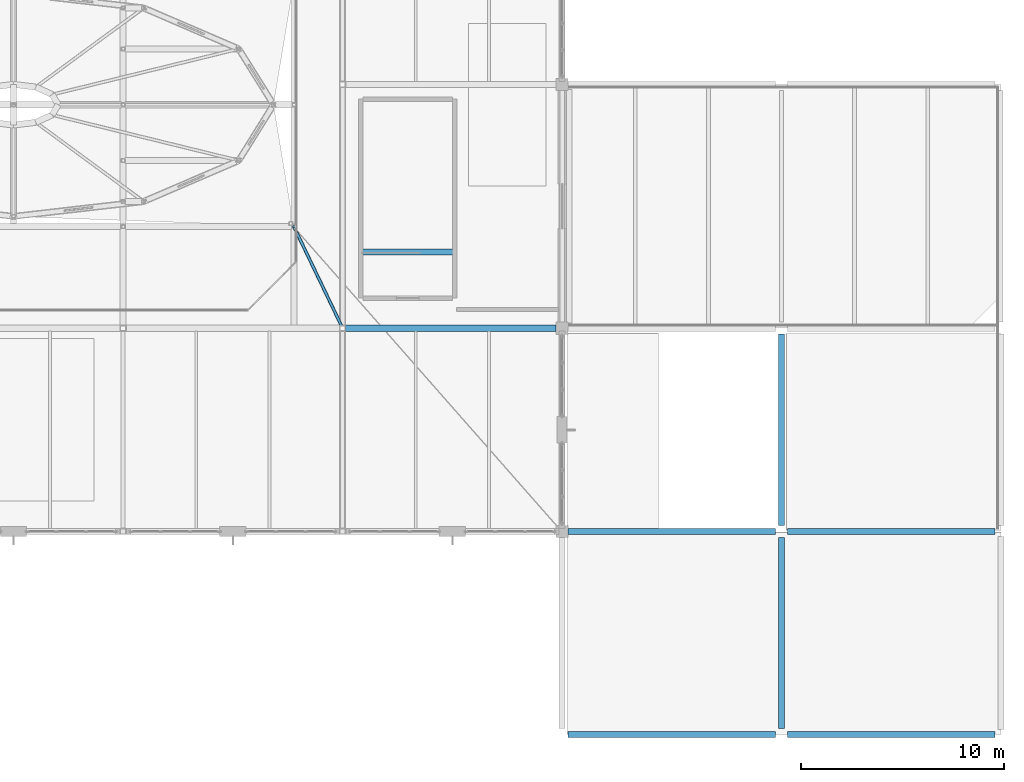
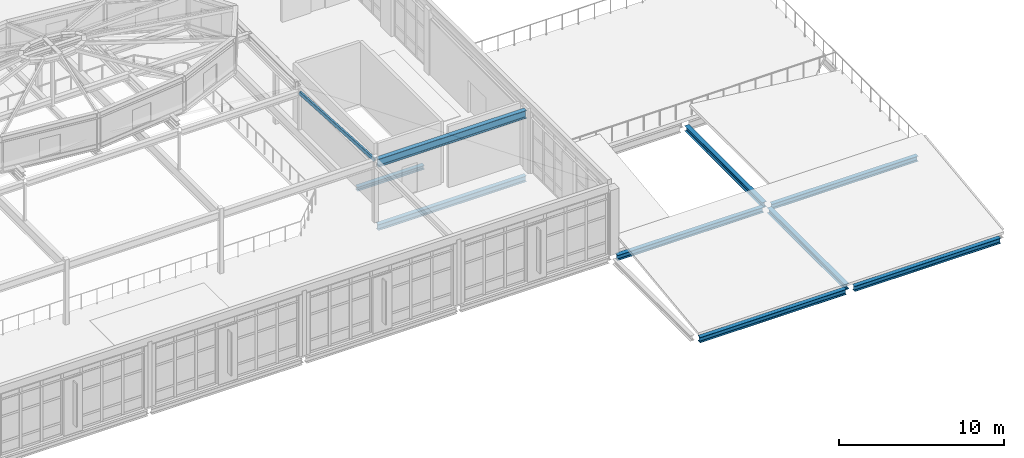
# One storey, part 33 of 86: 9 beams, 1 member.
"""IFC4 building model written with IfcOpenShell, lengths in metres."""

import ifcopenshell
import ifcopenshell.guid

model = None  # the IFC model being written
_history = None  # IfcOwnerHistory: only IFC2X3 demands one
_inside = {}  # id of a spatial element -> (the spatial element, [elements in it])
_under = {}  # id of a project, library or spatial element -> (it, [spatial elements below it])
_declared = {}  # id of a project -> (the project, [libraries it declares])
_typed = {}  # id of a type object -> (the type object, [elements of that type])
_made_of = {}  # id of a material, layer set ... -> (it, [elements and type objects made of it])


def new_model(schema):
    """Start an empty IFC model of exactly this schema.

    Asked for "IFC4X3", IfcOpenShell would pick the latest addendum, in which some entities
    have other attributes; the version numbers below select the first issue.
    IFC2X3 requires an IfcOwnerHistory on every rooted entity: one is made here for all.
    """
    global model, _history
    if schema == "IFC4X3":
        model = ifcopenshell.file(schema_version=(4, 3, 0, 0))
    else:
        model = ifcopenshell.file(schema=schema)
    _inside.clear()
    _under.clear()
    _declared.clear()
    _typed.clear()
    _made_of.clear()
    _history = None
    if model.schema == "IFC2X3":
        org = make("IfcOrganization", Name="unknown")
        user = make(
            "IfcPersonAndOrganization",
            ThePerson=make("IfcPerson", FamilyName="unknown"),
            TheOrganization=org,
        )
        app = make(
            "IfcApplication",
            ApplicationDeveloper=org,
            Version="unknown",
            ApplicationFullName="unknown",
            ApplicationIdentifier="unknown",
        )
        _history = make(
            "IfcOwnerHistory",
            OwningUser=user,
            OwningApplication=app,
            ChangeAction="ADDED",
            CreationDate=0,
        )
    return model


def make(cls, **values):
    """One entity of the class cls with the attributes given. An attribute that is None is left unset."""
    return model.create_entity(
        cls, **{name: value for name, value in values.items() if value is not None}
    )


def rooted(cls, **values):
    """An entity with a GlobalId (a new one), such as an element, a storey or a relation."""
    return make(cls, GlobalId=ifcopenshell.guid.new(), OwnerHistory=_history, **values)


def si_unit(unit_type, name, prefix=None):
    """IfcSIUnit, for example si_unit("LENGTHUNIT", "METRE", prefix="MILLI")."""
    return make("IfcSIUnit", UnitType=unit_type, Prefix=prefix, Name=name)


def assignment(units):
    """IfcUnitAssignment: the units of a project."""
    return None if units is None else make("IfcUnitAssignment", Units=units)


def point(xyz):
    """IfcCartesianPoint."""
    return None if xyz is None else make("IfcCartesianPoint", Coordinates=xyz)


def direction(xyz):
    """IfcDirection."""
    return None if xyz is None else make("IfcDirection", DirectionRatios=xyz)


def frame(location, z_axis=None, x_axis=None):
    """IfcAxis2Placement3D, a coordinate frame: its origin and axes. An axis left out is left unset."""
    return make(
        "IfcAxis2Placement3D",
        Location=point(location),
        Axis=direction(z_axis),
        RefDirection=direction(x_axis),
    )


def frame_2d(location, x_axis=None):
    """IfcAxis2Placement2D, a coordinate frame in the plane: its origin and x axis."""
    return make(
        "IfcAxis2Placement2D", Location=point(location), RefDirection=direction(x_axis)
    )


def origin():
    """The frame at (0, 0, 0) with its axes left unset."""
    return frame((0.0, 0.0, 0.0))


def origin_2d():
    """The frame at (0, 0) in the plane with its x axis left unset."""
    return frame_2d((0.0, 0.0))


def place(relative_to, where):
    """IfcLocalPlacement: puts the frame where relative to a parent placement (None: the world)."""
    return make(
        "IfcLocalPlacement", PlacementRelTo=relative_to, RelativePlacement=where
    )


def context(
    kind, dimensions, precision=None, world=None, true_north=None, identifier=None
):
    """IfcGeometricRepresentationContext, for example the 3D "Model" context."""
    return make(
        "IfcGeometricRepresentationContext",
        ContextIdentifier=identifier,
        ContextType=kind,
        CoordinateSpaceDimension=dimensions,
        Precision=precision,
        WorldCoordinateSystem=world,
        TrueNorth=true_north,
    )


def subcontext(parent, identifier, kind, view, scale=None):
    """IfcGeometricRepresentationSubContext, for example "Body" below "Model"."""
    return make(
        "IfcGeometricRepresentationSubContext",
        ContextIdentifier=identifier,
        ContextType=kind,
        ParentContext=parent,
        TargetScale=scale,
        TargetView=view,
    )


def project(units=None, contexts=None):
    """IfcProject with its units and contexts."""
    return rooted(
        "IfcProject",
        Name="project",
        RepresentationContexts=contexts,
        UnitsInContext=assignment(units),
    )


def spatial(cls, under=None, at=None, **own):
    """A site, building, storey or space (cls), placed at a placement, below another one or the project."""
    s = rooted(cls, ObjectPlacement=at, **own)
    if under is not None:
        _under.setdefault(under.id(), (under, []))[1].append(s)
    return s


def profile(cls, at=None, kind="AREA", **sizes):
    """A parametric profile (cls). Its sizes go by their IFC names, for example OverallWidth=200.0."""
    return make(cls, ProfileType=kind, Position=at, **sizes)


def hollow_rectangle(**sizes):
    """IfcRectangleHollowProfileDef."""
    return profile("IfcRectangleHollowProfileDef", **sizes)


def i_section(**sizes):
    """IfcIShapeProfileDef."""
    return profile("IfcIShapeProfileDef", **sizes)


def extrude(swept, where, along, depth):
    """IfcExtrudedAreaSolid: the profile swept, set in the frame where, extruded along a direction by depth."""
    return make(
        "IfcExtrudedAreaSolid",
        SweptArea=swept,
        Position=where,
        ExtrudedDirection=direction(along),
        Depth=depth,
    )


def shape(context_of_items, identifier, shape_type, items):
    """IfcShapeRepresentation: the items that make up one representation, for example the "Body"."""
    return make(
        "IfcShapeRepresentation",
        ContextOfItems=context_of_items,
        RepresentationIdentifier=identifier,
        RepresentationType=shape_type,
        Items=items,
    )


def material(Name=None, Category=None):
    """IfcMaterial."""
    return make("IfcMaterial", Name=Name, Category=Category)


def material_profile(
    of_material, cross_section, Name=None, Category=None, Priority=None
):
    """IfcMaterialProfile: a cross section and its material."""
    return make(
        "IfcMaterialProfile",
        Name=Name,
        Material=of_material,
        Profile=cross_section,
        Priority=Priority,
        Category=Category,
    )


def profile_set(profiles, Name=None, composite=None):
    """IfcMaterialProfileSet."""
    return make(
        "IfcMaterialProfileSet",
        Name=Name,
        MaterialProfiles=profiles,
        CompositeProfile=composite,
    )


def made_of(thing, what):
    """Note that an element or type object is made of a material, layer set ...; save() writes the relation."""
    if what is not None:
        _made_of.setdefault(what.id(), (what, []))[1].append(thing)
    return thing


def type_object(cls, material=None, **own):
    """A type object (cls), such as IfcWallType, which elements share."""
    return made_of(rooted(cls, **own), material)


def element(
    cls,
    number,
    at=None,
    inside=None,
    cuts=None,
    type_object=None,
    material=None,
    context=None,
    identifier="Body",
    shape_type=None,
    held_by="IfcProductDefinitionShape",
    body=None,
    shapes=None,
    **own,
):
    """One element of the class cls, such as IfcWall. Its Tag is "e" and its number.

    at: its placement. inside: the storey or other place that contains it. cuts: it is an
    opening in that element (IfcRelVoidsElement). A single representation is given by context,
    identifier, shape_type and body (its items); several are given by shapes. held_by: the class
    of the entity that holds the representations. save() writes the other relations.
    """
    e = rooted(cls, Tag="e%d" % number, ObjectPlacement=at, **own)
    if body is not None:
        shapes = [shape(context, identifier, shape_type, body)]
    if shapes is not None:
        e.Representation = make(held_by, Representations=shapes)
    if inside is not None:
        _inside.setdefault(inside.id(), (inside, []))[1].append(e)
    if cuts is not None:
        rooted(
            "IfcRelVoidsElement", RelatingBuildingElement=cuts, RelatedOpeningElement=e
        )
    if type_object is not None:
        _typed.setdefault(type_object.id(), (type_object, []))[1].append(e)
    return made_of(e, material)


def aggregate(whole, parts):
    """IfcRelAggregates: a whole, such as a stair, and the parts it consists of."""
    return rooted("IfcRelAggregates", RelatingObject=whole, RelatedObjects=parts)


def save(model, path):
    """Write the relations noted so far, then the file.

    IfcRelAggregates (storeys below a building ...), IfcRelContainedInSpatialStructure (elements
    in a storey), IfcRelDefinesByType, IfcRelAssociatesMaterial and IfcRelDeclares: one each for
    every whole, place, type object, material and project.
    """
    for whole, parts in _under.values():
        aggregate(whole, parts)
    for where, things in _inside.values():
        rooted(
            "IfcRelContainedInSpatialStructure",
            RelatedElements=things,
            RelatingStructure=where,
        )
    for kind, things in _typed.values():
        rooted("IfcRelDefinesByType", RelatedObjects=things, RelatingType=kind)
    for what, things in _made_of.values():
        rooted("IfcRelAssociatesMaterial", RelatedObjects=things, RelatingMaterial=what)
    for by, libraries in _declared.values():
        rooted("IfcRelDeclares", RelatingContext=by, RelatedDefinitions=libraries)
    model.write(path)


model = new_model("IFC4")

# Units and contexts
model_context = context("Model", 3, precision=1e-05, world=origin(), true_north=direction((0.0, 1.0)))
body_context = subcontext(model_context, "Body", "Model", "MODEL_VIEW")
ifc_project = project(units=[si_unit("LENGTHUNIT", "METRE"), si_unit("AREAUNIT", "SQUARE_METRE"), si_unit("VOLUMEUNIT", "CUBIC_METRE"), si_unit("PLANEANGLEUNIT", "RADIAN"), si_unit("MASSUNIT", "GRAM", prefix="KILO")], contexts=[model_context])

# Site, building, storey
site_placement = place(None, origin())
site = spatial("IfcSite", under=ifc_project, at=site_placement, CompositionType="ELEMENT")
building_placement = place(site_placement, origin())
building = spatial("IfcBuilding", under=site, at=building_placement, Name="Tasgan Crest Museum", CompositionType="ELEMENT")
storey_placement = place(building_placement, frame((0.0, 0.0, 24.0)))
storey = spatial("IfcBuildingStorey", under=building, at=storey_placement, Name="L04", CompositionType="ELEMENT", Elevation=24.0)

# Beams
ifc_material_1 = material(Name="Steel S355J2", Category="steel")
ifc_material_profile_1 = material_profile(ifc_material_1, i_section(OverallWidth=0.300048828125, OverallDepth=0.389892578125, WebThickness=0.010986328125, FlangeThickness=0.01904296875, FilletRadius=0.027099609375, at=origin_2d()), Name="HEA 400")
ifc_profile_set_1 = profile_set([ifc_material_profile_1], Name="Steel S355J2")
beam_type_1 = type_object("IfcBeamType", Name="BM-G-HEA400", PredefinedType="BEAM", material=ifc_profile_set_1)
for number, where, z_axis, x_axis, name in (
    (1, (108.2958984375, 30.0, -0.47509765625), (1.0, 0.0, 0.0), (0.0, 1.0, 0.0), "East upper archive south roof girder D 108.0"),
    (2, (119.095947265625, 30.0, -0.47509765625), (1.0, 0.0, 0.0), (0.0, 1.0, 0.0), "East upper archive south roof girder D 118.8"),
    (3, (108.2958984375, 40.0, -0.47509765625), (1.0, 0.0, 0.0), (0.0, 1.0, 0.0), "East upper archive south roof girder E 108.0"),
    (4, (119.095947265625, 40.0, -0.47509765625), (1.0, 0.0, 0.0), (0.0, 1.0, 0.0), "East upper archive south roof girder E 118.8"),
):
    element("IfcBeam", number, at=place(storey_placement, frame(where, z_axis=z_axis, x_axis=x_axis)), inside=storey, type_object=beam_type_1, Name=name, PredefinedType="BEAM", context=body_context, shape_type="SweptSolid", body=[
        extrude(i_section(OverallWidth=0.300048828125, OverallDepth=0.389892578125, WebThickness=0.010986328125, FlangeThickness=0.01904296875, FilletRadius=0.027099609375, at=origin_2d()), origin(), (0.0, 0.0, 1.0), 10.2080078125),
    ])
for number, where, z_axis, x_axis, name in (
    (5, (118.800048828125, 30.294921875, -0.47509765625), (0.0, 1.0, 0.0), (-1.0, 0.0, 0.0), "East upper archive south roof beam 12 30.0"),
    (6, (118.800048828125, 40.294921875, -0.47509765625), (0.0, 1.0, 0.0), (-1.0, 0.0, 0.0), "East upper archive corridor roof beam 12 40.0"),
):
    element("IfcBeam", number, at=place(storey_placement, frame(where, z_axis=z_axis, x_axis=x_axis)), inside=storey, type_object=beam_type_1, Name=name, PredefinedType="BEAM", context=body_context, shape_type="SweptSolid", body=[
        extrude(i_section(OverallWidth=0.300048828125, OverallDepth=0.389892578125, WebThickness=0.010986328125, FlangeThickness=0.01904296875, FilletRadius=0.027099609375, at=origin_2d()), origin(), (0.0, 0.0, 1.0), 9.41015625),
    ])
ifc_material_2 = material(Name="Steel S355J2", Category="steel")
ifc_material_profile_2 = material_profile(ifc_material_2, i_section(OverallWidth=0.300048828125, OverallDepth=0.43994140625, WebThickness=0.011474609375, FlangeThickness=0.02099609375, FilletRadius=0.027099609375, at=origin_2d()), Name="HEA 450")
ifc_profile_set_2 = profile_set([ifc_material_profile_2], Name="Steel S355J2")
beam_type_2 = type_object("IfcBeamType", Name="BM-G-HEA450", PredefinedType="BEAM", material=ifc_profile_set_2)
beam_1_placement = place(storey_placement, frame((97.345947265625, 50.0, -0.4599609375), z_axis=(1.0, 0.0, 0.0), x_axis=(0.0, 1.0, 0.0)))
element("IfcBeam", 7, at=beam_1_placement, inside=storey, type_object=beam_type_2, Name="Girder L04 F 97.2-108.0", PredefinedType="BEAM", context=body_context, shape_type="SweptSolid", body=[
    extrude(i_section(OverallWidth=0.300048828125, OverallDepth=0.43994140625, WebThickness=0.011474609375, FlangeThickness=0.02099609375, FilletRadius=0.027099609375, at=origin_2d()), origin(), (0.0, 0.0, 1.0), 10.358154296875),
])
ifc_material_3 = material(Name="Steel S355J2", Category="steel")
ifc_material_profile_3 = material_profile(ifc_material_3, i_section(OverallWidth=0.300048828125, OverallDepth=0.590087890625, WebThickness=0.012939453125, FlangeThickness=0.02490234375, FilletRadius=0.027099609375, at=origin_2d()), Name="HEA 600")
ifc_profile_set_3 = profile_set([ifc_material_profile_3], Name="Steel S355J2")
beam_type_3 = type_object("IfcBeamType", Name="BM-G-HEA600", PredefinedType="BEAM", material=ifc_profile_set_3)
beam_2_placement = place(storey_placement, frame((97.345947265625, 50.0, 4.304931640625), z_axis=(1.0, 0.0, 0.0), x_axis=(0.0, 1.0, 0.0)))
element("IfcBeam", 8, at=beam_2_placement, inside=storey, type_object=beam_type_3, Name="Winter-garden roof girder F 97.2-108.0", PredefinedType="BEAM", context=body_context, shape_type="SweptSolid", body=[
    extrude(i_section(OverallWidth=0.300048828125, OverallDepth=0.590087890625, WebThickness=0.012939453125, FlangeThickness=0.02490234375, FilletRadius=0.027099609375, at=origin_2d()), origin(), (0.0, 0.0, 1.0), 10.358154296875),
])
ifc_material_4 = material(Name="Steel S355J2", Category="steel")
ifc_material_profile_4 = material_profile(ifc_material_4, i_section(OverallWidth=0.300048828125, OverallDepth=0.300048828125, WebThickness=0.010986328125, FlangeThickness=0.01904296875, FilletRadius=0.027099609375, at=origin_2d()), Name="HEB 300")
ifc_profile_set_4 = profile_set([ifc_material_profile_4], Name="Steel S355J2")
beam_type_4 = type_object("IfcBeamType", Name="BM-G-HEB300", PredefinedType="BEAM", material=ifc_profile_set_4)
beam_3_placement = place(storey_placement, frame((98.06005859375, 53.75, -0.14990234375), z_axis=(1.0, 0.0, 0.0), x_axis=(0.0, 1.0, 0.0)))
element("IfcBeam", 9, at=beam_3_placement, inside=storey, type_object=beam_type_4, Name="ATRIUM top stair trimmer L04", PredefinedType="BEAM", context=body_context, shape_type="SweptSolid", body=[
    extrude(i_section(OverallWidth=0.300048828125, OverallDepth=0.300048828125, WebThickness=0.010986328125, FlangeThickness=0.01904296875, FilletRadius=0.027099609375, at=origin_2d()), origin(), (0.0, 0.0, 1.0), 4.679931640625),
])

# Member
ifc_material_5 = material(Name="Steel S355K2", Category="steel")
ifc_material_profile_5 = material_profile(ifc_material_5, hollow_rectangle(XDim=0.14990234375, YDim=0.25, WallThickness=0.010009765625, InnerFilletRadius=0.010009765625, OuterFilletRadius=0.02001953125, at=origin_2d()), Name="RHS 250x150x10")
ifc_profile_set_5 = profile_set([ifc_material_profile_5], Name="Steel S355K2")
member_type = type_object("IfcMemberType", Name="MEM-DRUM-RIB", PredefinedType="RAFTER", material=ifc_profile_set_5)
member_placement = place(storey_placement, frame((97.199951171875, 50.0, 4.5), z_axis=(-0.385717184692, 0.80361016709, 0.453247121097), x_axis=(-0.901529926538, -0.432716756732, 0.0)))
element("IfcMember", 10, at=member_placement, inside=storey, type_object=member_type, Name="Winter-garden lantern rib SE", PredefinedType="RAFTER", context=body_context, shape_type="SweptSolid", body=[
    extrude(hollow_rectangle(XDim=0.14990234375, YDim=0.25, WallThickness=0.010009765625, InnerFilletRadius=0.010009765625, OuterFilletRadius=0.02001953125, at=origin_2d()), origin(), (0.0, 0.0, 1.0), 6.221923828125),
])

save(model, "model.ifc")
